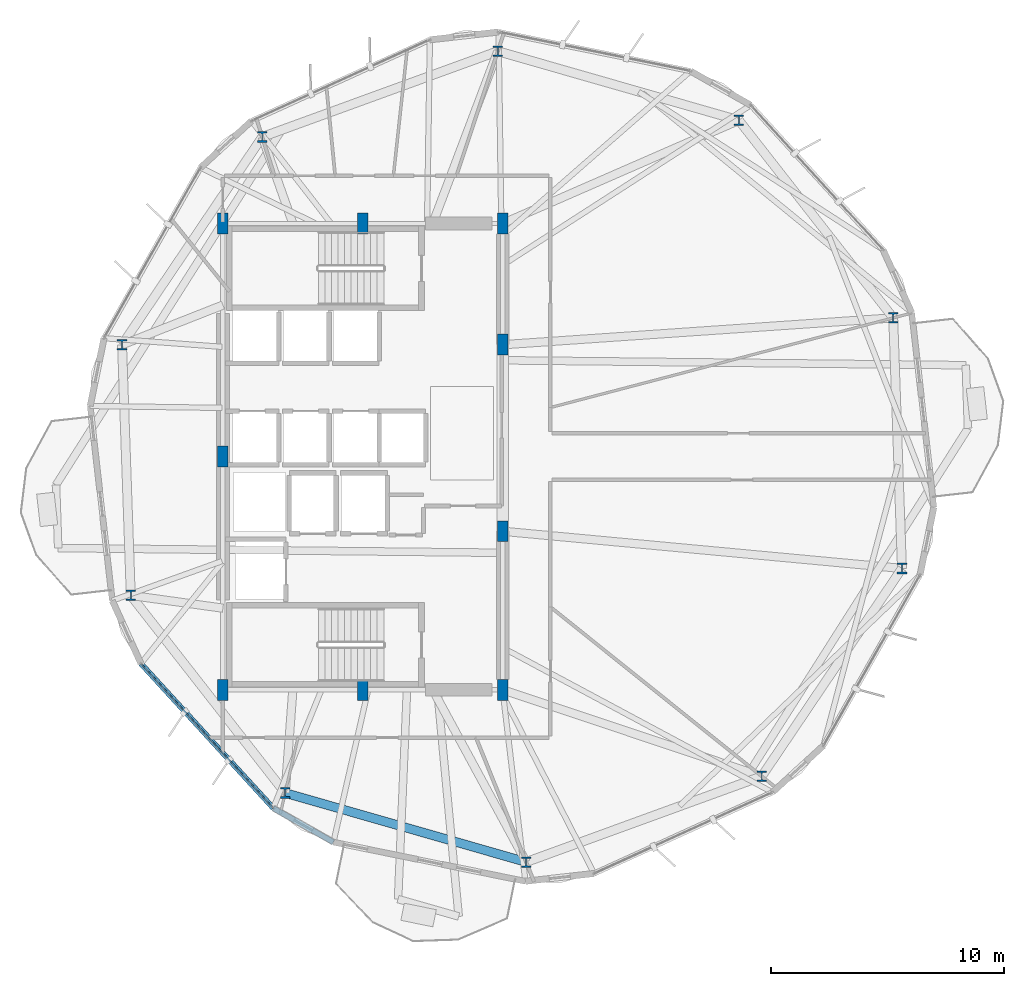
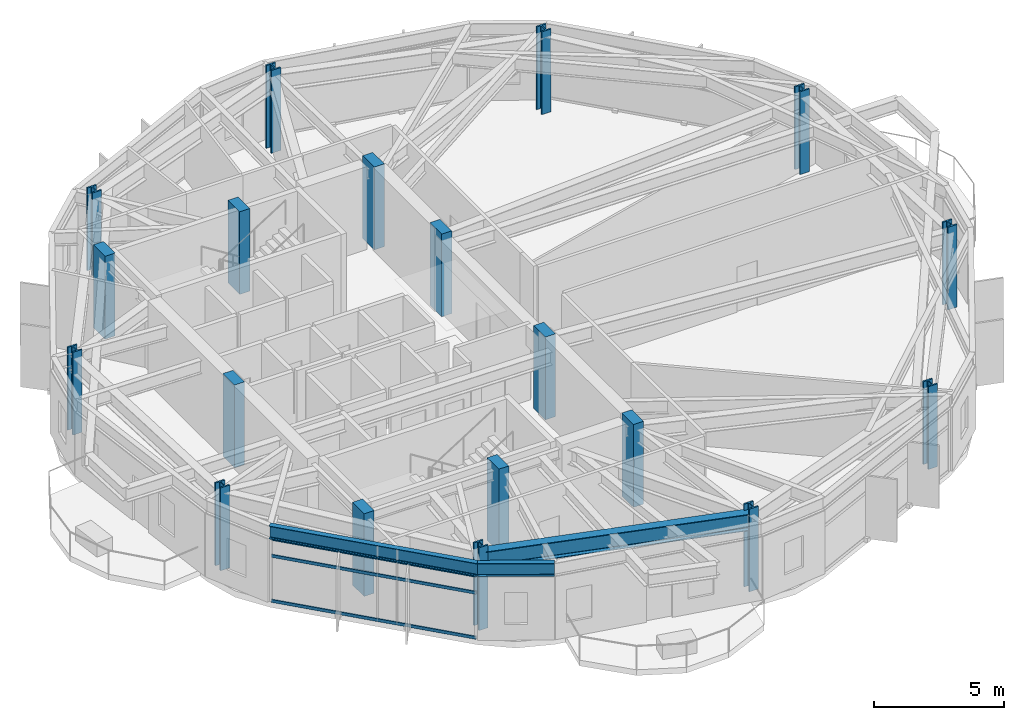
# One storey, part 1 of 23: 19 columns, 3 beams, 3 members, 1 element without a shape of its own.
"""IFC4 building model written with IfcOpenShell, lengths in metres."""

from ifc_helpers import new_model, si_unit, direction, frame, origin, origin_2d, place, context, subcontext, project, spatial, rectangle, hollow_rectangle, i_section, extrude, material, layer, layer_set, material_profile, profile_set, type_object, element, aggregate, save


model = new_model("IFC4")

# Units and contexts
model_context = context("Model", 3, precision=1e-05, world=origin(), true_north=direction((0.0, 1.0)))
body_context = subcontext(model_context, "Body", "Model", "MODEL_VIEW")
ifc_project = project(units=[si_unit("LENGTHUNIT", "METRE"), si_unit("AREAUNIT", "SQUARE_METRE"), si_unit("VOLUMEUNIT", "CUBIC_METRE"), si_unit("PLANEANGLEUNIT", "RADIAN"), si_unit("MASSUNIT", "GRAM", prefix="KILO")], contexts=[model_context])

# Site, building, storey
site_placement = place(None, origin())
site = spatial("IfcSite", under=ifc_project, at=site_placement, CompositionType="ELEMENT")
building_placement = place(site_placement, origin())
building = spatial("IfcBuilding", under=site, at=building_placement, Name="Soratama Intermodal Tower", CompositionType="ELEMENT")
storey_placement = place(building_placement, frame((0.0, 0.0, 122.5)))
storey = spatial("IfcBuildingStorey", under=building, at=storey_placement, Name="L29", CompositionType="ELEMENT", Elevation=122.5)

# Columns
ifc_material_1 = material(Name="Structural steel ASTM A992 Grade 50", Category="steel")
ifc_material_profile_1 = material_profile(ifc_material_1, i_section(OverallWidth=0.41796875, OverallDepth=0.455078125, WebThickness=0.0419921875, FlangeThickness=0.067626953125, FilletRadius=0.0380859375, at=origin_2d()), Name="W14X370")
ifc_profile_set_1 = profile_set([ifc_material_profile_1], Name="Structural steel ASTM A992 Grade 50")
column_type_1 = type_object("IfcColumnType", Name="COL-ZB-W14X370", PredefinedType="COLUMN", material=ifc_profile_set_1)
for number, where, z_axis, x_axis, name in (
    (1, (61.3505859375, 30.951171875, 0.0), (0.0, 0.0, 1.0), (1.0, 0.0, 0.0), "L29 Tower Ring Column R01"),
    (2, (54.72998046875, 39.42529296875, 0.0), (0.0, 0.0, 1.0), (1.0, 0.0, 0.0), "L29 Tower Ring Column R02"),
    (3, (44.392578125, 42.389404296875, 0.0), (0.0, 0.0, 1.0), (1.0, 0.0, 0.0), "L29 Tower Ring Column R03"),
    (4, (34.28759765625, 38.71142578125, 0.0), (0.0, 0.0, 1.0), (1.0, 0.0, 0.0), "L29 Tower Ring Column R04"),
    (5, (28.27392578125, 29.796142578125, 0.0), (0.0, 0.0, 1.0), (1.0, 0.0, 0.0), "L29 Tower Ring Column R05"),
    (6, (28.6494140625, 19.048828125, 0.0), (0.0, 0.0, 1.0), (1.0, 0.0, 0.0), "L29 Tower Ring Column R06"),
    (7, (35.27001953125, 10.57470703125, 0.0), (0.0, 0.0, 1.0), (1.0, 0.0, 0.0), "L29 Tower Ring Column R07"),
    (8, (45.607421875, 7.610595703125, 0.0), (0.0, 0.0, 1.0), (1.0, 0.0, 0.0), "L29 Tower Ring Column R08"),
    (9, (55.71240234375, 11.28857421875, 0.0), (0.0, 0.0, 1.0), (1.0, 0.0, 0.0), "L29 Tower Ring Column R09"),
    (10, (61.72607421875, 20.203857421875, 0.0), (0.0, 0.0, 1.0), (1.0, 0.0, 0.0), "L29 Tower Ring Column R10"),
):
    element("IfcColumn", number, at=place(storey_placement, frame(where, z_axis=z_axis, x_axis=x_axis)), inside=storey, type_object=column_type_1, Name=name, PredefinedType="COLUMN", context=body_context, shape_type="SweptSolid", body=[
        extrude(i_section(OverallWidth=0.41796875, OverallDepth=0.455078125, WebThickness=0.0419921875, FlangeThickness=0.067626953125, FilletRadius=0.0380859375, at=origin_2d()), origin(), (0.0, 0.0, 1.0), 3.89990234375),
    ])
ifc_material_2 = material(Name="Concrete f'c 56 MPa", Category="concrete")
ifc_material_profile_2 = material_profile(ifc_material_2, rectangle(XDim=0.449951171875, YDim=0.89990234375, at=origin_2d()), Name="RC450X900")
ifc_profile_set_2 = profile_set([ifc_material_profile_2], Name="Concrete f'c 56 MPa")
column_type_2 = type_object("IfcColumnType", Name="PIL-CORE-450X900", PredefinedType="PILASTER", material=ifc_profile_set_2)
for number, where, z_axis, x_axis, name in (
    (11, (32.60009765625, 15.0, 0.0), (0.0, 0.0, 1.0), (1.0, 0.0, 0.0), "L29 Core Pilaster 1"),
    (12, (32.60009765625, 25.0, 0.0), (0.0, 0.0, 1.0), (1.0, 0.0, 0.0), "L29 Core Pilaster 2"),
    (13, (32.60009765625, 35.0, 0.0), (0.0, 0.0, 1.0), (1.0, 0.0, 0.0), "L29 Core Pilaster 3"),
    (14, (38.60009765625, 15.0, 0.0), (0.0, 0.0, 1.0), (1.0, 0.0, 0.0), "L29 Core Pilaster 4"),
    (15, (38.60009765625, 35.0, 0.0), (0.0, 0.0, 1.0), (1.0, 0.0, 0.0), "L29 Core Pilaster 5"),
    (16, (44.60009765625, 15.0, 0.0), (0.0, 0.0, 1.0), (1.0, 0.0, 0.0), "L29 Core Pilaster 6"),
    (17, (44.60009765625, 21.800048828125, 0.0), (0.0, 0.0, 1.0), (1.0, 0.0, 0.0), "L29 Core Pilaster 7"),
    (18, (44.60009765625, 29.800048828125, 0.0), (0.0, 0.0, 1.0), (1.0, 0.0, 0.0), "L29 Core Pilaster 8"),
    (19, (44.60009765625, 35.0, 0.0), (0.0, 0.0, 1.0), (1.0, 0.0, 0.0), "L29 Core Pilaster 9"),
):
    element("IfcColumn", number, at=place(storey_placement, frame(where, z_axis=z_axis, x_axis=x_axis)), inside=storey, type_object=column_type_2, Name=name, PredefinedType="PILASTER", context=body_context, shape_type="SweptSolid", body=[
        extrude(rectangle(XDim=0.449951171875, YDim=0.89990234375, at=origin_2d()), origin(), (0.0, 0.0, 1.0), 3.89990234375),
    ])

# Beams
ifc_material_3 = material(Name="Structural steel ASTM A992 Grade 50", Category="steel")
ifc_material_profile_3 = material_profile(ifc_material_3, i_section(OverallWidth=0.382080078125, OverallDepth=0.779052734375, WebThickness=0.01806640625, FlangeThickness=0.030029296875, FilletRadius=0.01806640625, at=origin_2d()), Name="W30X191")
ifc_profile_set_3 = profile_set([ifc_material_profile_3], Name="Structural steel ASTM A992 Grade 50")
beam_type_1 = type_object("IfcBeamType", Name="BM-RING-W30X191", PredefinedType="BEAM", material=ifc_profile_set_3)
beam_1_placement = place(storey_placement, frame((35.27001953125, 10.574951171875, 3.21044921875), z_axis=(0.961266505995, -0.275620580604, 0.0), x_axis=(0.275620580604, 0.961266505995, 0.0)))
element("IfcBeam", 20, at=beam_1_placement, inside=storey, type_object=beam_type_1, Name="BM-L29-RING-07", PredefinedType="BEAM", context=body_context, shape_type="SweptSolid", body=[
    extrude(i_section(OverallWidth=0.382080078125, OverallDepth=0.779052734375, WebThickness=0.01806640625, FlangeThickness=0.030029296875, FilletRadius=0.01806640625, at=origin_2d()), origin(), (0.0, 0.0, 1.0), 10.75341796875),
])
ifc_material_4 = material(Name="Structural steel ASTM A992 Grade 50", Category="steel")
ifc_material_profile_4 = material_profile(ifc_material_4, i_section(OverallWidth=0.22900390625, OverallDepth=0.612060546875, WebThickness=0.011962890625, FlangeThickness=0.01953125, FilletRadius=0.012939453125, at=origin_2d()), Name="W24X84")
ifc_profile_set_4 = profile_set([ifc_material_profile_4], Name="Structural steel ASTM A992 Grade 50")
beam_type_2 = type_object("IfcBeamType", Name="BM-SPN-W24X84", PredefinedType="SPANDREL", material=ifc_profile_set_4)
beam_2_placement = place(storey_placement, frame((29.08203125, 16.123046875, 3.2939453125), z_axis=(0.67537601679, -0.737473549319, 0.0), x_axis=(0.737473549319, 0.67537601679, 0.0)))
element("IfcBeam", 21, at=beam_2_placement, inside=storey, type_object=beam_type_2, Name="BS-L29-F06", PredefinedType="SPANDREL", context=body_context, shape_type="SweptSolid", body=[
    extrude(i_section(OverallWidth=0.22900390625, OverallDepth=0.612060546875, WebThickness=0.011962890625, FlangeThickness=0.01953125, FilletRadius=0.012939453125, at=origin_2d()), origin(), (0.0, 0.0, 1.0), 8.40576171875),
])
beam_3_placement = place(storey_placement, frame((34.759033203125, 9.924072265625, 3.2939453125), z_axis=(0.87008572133, -0.492900433697, 0.0), x_axis=(0.492900433697, 0.87008572133, 0.0)))
element("IfcBeam", 22, at=beam_3_placement, inside=storey, type_object=beam_type_2, Name="BS-L29-CRN06", PredefinedType="SPANDREL", context=body_context, shape_type="SweptSolid", body=[
    extrude(i_section(OverallWidth=0.22900390625, OverallDepth=0.612060546875, WebThickness=0.011962890625, FlangeThickness=0.01953125, FilletRadius=0.012939453125, at=origin_2d()), origin(), (0.0, 0.0, 1.0), 2.966552734375),
])

# Curtain wall, members
ifc_material_5 = material(Name="Double-glazed aluminium curtain wall", Category="aluminium")
ifc_layer = layer(ifc_material_5, 0.159912109375)
ifc_layer_set = layer_set([ifc_layer], Name="Double-glazed aluminium curtain wall")
curtain_wall_type = type_object("IfcCurtainWallType", Name="CW-SYS-3", PredefinedType="NOTDEFINED", material=ifc_layer_set)
curtain_wall_placement = place(storey_placement, origin())
curtain_wall = element("IfcCurtainWall", 23, at=curtain_wall_placement, inside=storey, type_object=curtain_wall_type, Name="L29 Faceted Curtain Wall F06", PredefinedType="NOTDEFINED")
ifc_material_6 = material(Name="Anodised aluminium AA 6063-T6", Category="aluminium")
ifc_material_profile_5 = material_profile(ifc_material_6, hollow_rectangle(XDim=0.06494140625, YDim=0.14990234375, WallThickness=0.0048828125, InnerFilletRadius=0.0048828125, OuterFilletRadius=0.010009765625, at=origin_2d()), Name="CWT150X65X5")
ifc_profile_set_5 = profile_set([ifc_material_profile_5], Name="Anodised aluminium AA 6063-T6")
member_type = type_object("IfcMemberType", Name="TT-CWT-1", PredefinedType="USERDEFINED", material=ifc_profile_set_5)
member_1_placement = place(storey_placement, frame((29.122802734375, 16.07861328125, 0.030029296875), z_axis=(0.67533624786, -0.737509967612, 0.0), x_axis=(0.737509967612, 0.67533624786, 0.0)))
member_1 = element("IfcMember", 24, at=member_1_placement, type_object=member_type, Name="CW-3 transom 1.1", ObjectType="TRANSOM", PredefinedType="USERDEFINED", context=body_context, shape_type="SweptSolid", body=[
    extrude(hollow_rectangle(XDim=0.06494140625, YDim=0.14990234375, WallThickness=0.0048828125, InnerFilletRadius=0.0048828125, OuterFilletRadius=0.010009765625, at=origin_2d()), origin(), (0.0, 0.0, 1.0), 8.285400390625),
])
member_2_placement = place(storey_placement, frame((29.122802734375, 16.07861328125, 2.14990234375), z_axis=(0.67533624786, -0.737509967612, 0.0), x_axis=(0.737509967612, 0.67533624786, 0.0)))
member_2 = element("IfcMember", 25, at=member_2_placement, type_object=member_type, Name="CW-3 transom 1.2", ObjectType="TRANSOM", PredefinedType="USERDEFINED", context=body_context, shape_type="SweptSolid", body=[
    extrude(hollow_rectangle(XDim=0.06494140625, YDim=0.14990234375, WallThickness=0.0048828125, InnerFilletRadius=0.0048828125, OuterFilletRadius=0.010009765625, at=origin_2d()), origin(), (0.0, 0.0, 1.0), 8.285400390625),
])
member_3_placement = place(storey_placement, frame((29.122802734375, 16.07861328125, 2.948974609375), z_axis=(0.67533624786, -0.737509967612, 0.0), x_axis=(0.737509967612, 0.67533624786, 0.0)))
member_3 = element("IfcMember", 26, at=member_3_placement, type_object=member_type, Name="CW-3 transom 1.3", ObjectType="TRANSOM", PredefinedType="USERDEFINED", context=body_context, shape_type="SweptSolid", body=[
    extrude(hollow_rectangle(XDim=0.06494140625, YDim=0.14990234375, WallThickness=0.0048828125, InnerFilletRadius=0.0048828125, OuterFilletRadius=0.010009765625, at=origin_2d()), origin(), (0.0, 0.0, 1.0), 8.285400390625),
])
aggregate(curtain_wall, [member_1, member_2, member_3])

save(model, "model.ifc")
